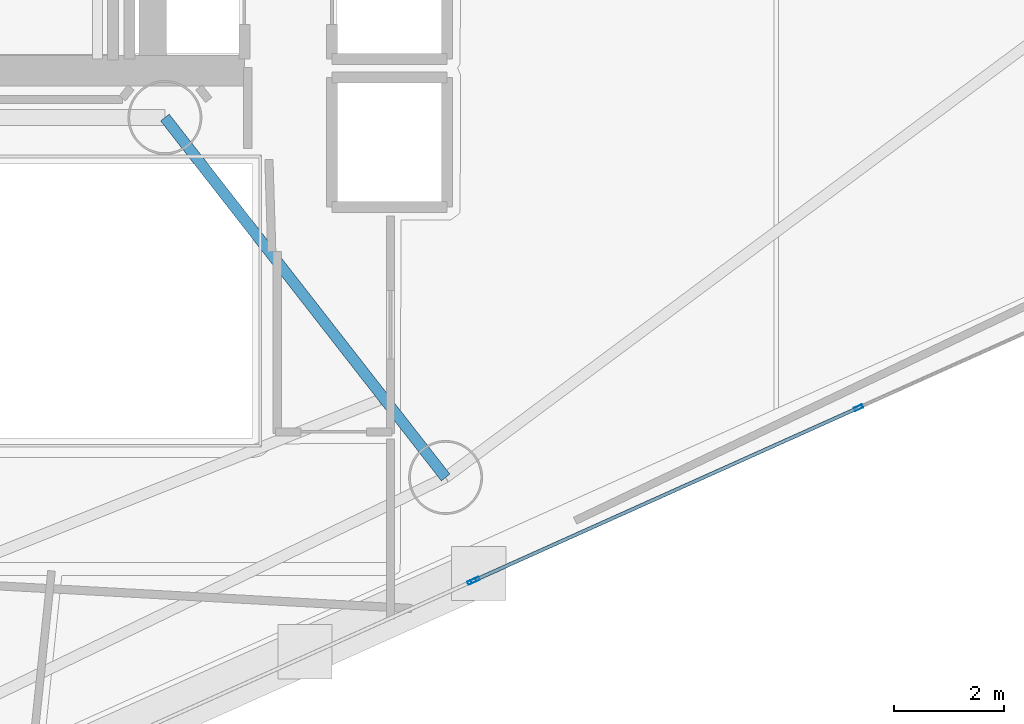
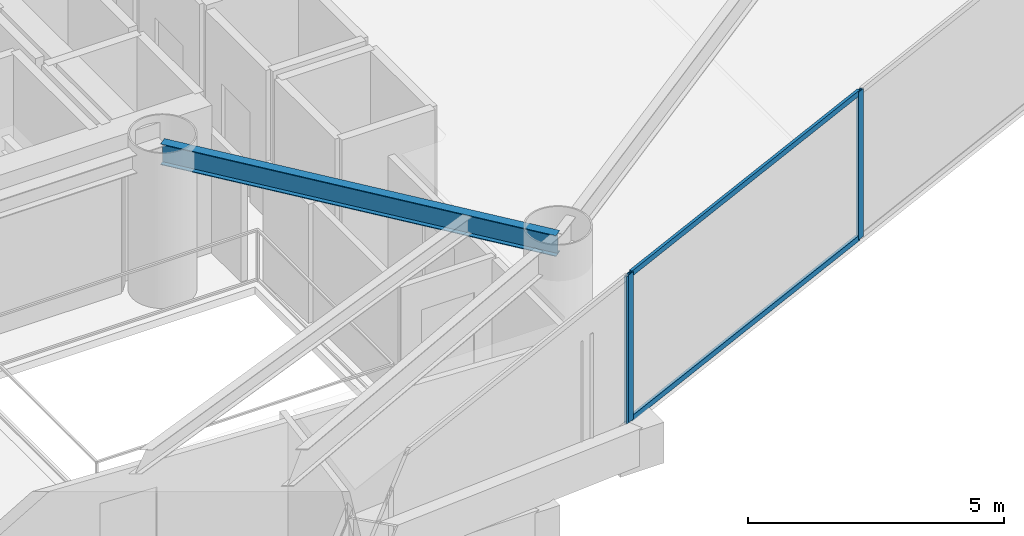
# One storey, part 7 of 23: 5 members, 1 beam, 2 elements without a shape of their own.
"""IFC4 building model written with IfcOpenShell, lengths in metres."""

from ifc_helpers import new_model, si_unit, direction, frame, origin, origin_2d, place, context, subcontext, project, spatial, hollow_rectangle, i_section, extrude, material, layer, layer_set, material_profile, profile_set, type_object, element, aggregate, save


model = new_model("IFC4")

# Units and contexts
model_context = context("Model", 3, precision=1e-05, world=origin(), true_north=direction((0.0, 1.0)))
body_context = subcontext(model_context, "Body", "Model", "MODEL_VIEW")
ifc_project = project(units=[si_unit("LENGTHUNIT", "METRE"), si_unit("AREAUNIT", "SQUARE_METRE"), si_unit("VOLUMEUNIT", "CUBIC_METRE"), si_unit("PLANEANGLEUNIT", "RADIAN"), si_unit("MASSUNIT", "GRAM", prefix="KILO")], contexts=[model_context])

# Site, building, storey
site_placement = place(None, origin())
site = spatial("IfcSite", under=ifc_project, at=site_placement, CompositionType="ELEMENT")
building_placement = place(site_placement, origin())
building = spatial("IfcBuilding", under=site, at=building_placement, Name="Qianvela Tower", CompositionType="ELEMENT")
storey_placement = place(building_placement, frame((0.0, 0.0, 147.60009765625)))
storey = spatial("IfcBuildingStorey", under=building, at=storey_placement, Name="L37", CompositionType="ELEMENT", Elevation=147.60009765625)

# Beam
ifc_material_1 = material(Name="Steel Q355B", Category="steel")
ifc_material_profile_1 = material_profile(ifc_material_1, i_section(OverallWidth=0.199951171875, OverallDepth=0.5, WebThickness=0.010009765625, FlangeThickness=0.01611328125, at=origin_2d()), Name="HN500x200x10x16")
ifc_profile_set_1 = profile_set([ifc_material_profile_1], Name="Steel Q355B")
beam_type = type_object("IfcBeamType", Name="BM-HN500-GIRD", PredefinedType="BEAM", material=ifc_profile_set_1)
beam_placement = place(storey_placement, frame((38.39990234375, 23.85009765625, 3.267822265625), z_axis=(0.615000832816, -0.788526458424, 0.0), x_axis=(0.788526458424, 0.615000832816, 0.0)))
element("IfcBeam", 1, at=beam_placement, inside=storey, type_object=beam_type, Name="L37 Radial Primary Floor Girder 6", PredefinedType="BEAM", context=body_context, shape_type="SweptSolid", body=[
    extrude(i_section(OverallWidth=0.199951171875, OverallDepth=0.5, WebThickness=0.010009765625, FlangeThickness=0.01611328125, at=origin_2d()), origin(), (0.0, 0.0, 1.0), 8.333251953125),
])

# Curtain wall, member
ifc_material_2 = material(Name="Anodised Architectural Aluminium and Insulated Spandrel Panel", Category="aluminium")
ifc_layer_1 = layer(ifc_material_2, 0.179931640625)
ifc_layer_set_1 = layer_set([ifc_layer_1], Name="Anodised Architectural Aluminium and Insulated Spandrel Panel")
curtain_wall_type_1 = type_object("IfcCurtainWallType", Name="CW-BRACEBAY", PredefinedType="USERDEFINED", material=ifc_layer_set_1)
curtain_wall_1_placement = place(storey_placement, origin())
curtain_wall_1 = element("IfcCurtainWall", 2, at=curtain_wall_1_placement, inside=storey, type_object=curtain_wall_type_1, Name="L37 CW-BRACEBAY Curtain Wall 06A", ObjectType="CURTAIN_WALL_SYSTEM", PredefinedType="USERDEFINED")
ifc_material_3 = material(Name="Anodised Architectural Aluminium 6063-T6", Category="aluminium")
ifc_material_profile_2 = material_profile(ifc_material_3, hollow_rectangle(XDim=0.06494140625, YDim=0.159912109375, WallThickness=0.0048828125, at=origin_2d()), Name="ALU-MULL-65x160")
ifc_profile_set_2 = profile_set([ifc_material_profile_2], Name="Anodised Architectural Aluminium 6063-T6")
member_type_1 = type_object("IfcMemberType", Name="CW-BRACEBAY-MULL", PredefinedType="MULLION", material=ifc_profile_set_2)
member_1_placement = place(storey_placement, frame((44.00341796875, 15.37939453125, 0.0), z_axis=(0.0, 0.0, 1.0), x_axis=(-0.409812805876, 0.912169646579, 0.0)))
member_1 = element("IfcMember", 3, at=member_1_placement, type_object=member_type_1, Name="CW-9 mullion 3", PredefinedType="MULLION", context=body_context, shape_type="SweptSolid", body=[
    extrude(hollow_rectangle(XDim=0.06494140625, YDim=0.159912109375, WallThickness=0.0048828125, at=origin_2d()), origin(), (0.0, 0.0, 1.0), 3.52001953125),
])
aggregate(curtain_wall_1, [member_1])

# Curtain wall, members
ifc_material_4 = material(Name="Anodised Architectural Aluminium and Low-E Glass", Category="aluminium")
ifc_layer_2 = layer(ifc_material_4, 0.169921875)
ifc_layer_set_2 = layer_set([ifc_layer_2], Name="Anodised Architectural Aluminium and Low-E Glass")
curtain_wall_type_2 = type_object("IfcCurtainWallType", Name="CW-COLIV-Z34", PredefinedType="USERDEFINED", material=ifc_layer_set_2)
curtain_wall_2_placement = place(storey_placement, origin())
curtain_wall_2 = element("IfcCurtainWall", 4, at=curtain_wall_2_placement, inside=storey, type_object=curtain_wall_type_2, Name="L37 CW-COLIV-Z34 Curtain Wall 06B", ObjectType="CURTAIN_WALL_SYSTEM", PredefinedType="USERDEFINED")
ifc_material_5 = material(Name="Anodised Architectural Aluminium 6063-T6", Category="aluminium")
ifc_material_profile_3 = material_profile(ifc_material_5, hollow_rectangle(XDim=0.06494140625, YDim=0.159912109375, WallThickness=0.0048828125, at=origin_2d()), Name="ALU-MULL-65x160")
ifc_profile_set_3 = profile_set([ifc_material_profile_3], Name="Anodised Architectural Aluminium 6063-T6")
member_type_2 = type_object("IfcMemberType", Name="CW-COLIV-Z34-MULL", PredefinedType="MULLION", material=ifc_profile_set_3)
member_2_placement = place(storey_placement, frame((44.062744140625, 15.406005859375, 0.0), z_axis=(0.0, 0.0, 1.0), x_axis=(-0.409810777016, 0.912170558088, 0.0)))
member_2 = element("IfcMember", 5, at=member_2_placement, type_object=member_type_2, Name="CW-4 mullion 1", PredefinedType="MULLION", context=body_context, shape_type="SweptSolid", body=[
    extrude(hollow_rectangle(XDim=0.06494140625, YDim=0.159912109375, WallThickness=0.0048828125, at=origin_2d()), origin(), (0.0, 0.0, 1.0), 3.52001953125),
])
member_3_placement = place(storey_placement, frame((51.06640625, 18.552490234375, 0.0), z_axis=(0.0, 0.0, 1.0), x_axis=(-0.409810777016, 0.912170558088, 0.0)))
member_3 = element("IfcMember", 6, at=member_3_placement, type_object=member_type_2, Name="CW-4 mullion 2", PredefinedType="MULLION", context=body_context, shape_type="SweptSolid", body=[
    extrude(hollow_rectangle(XDim=0.06494140625, YDim=0.159912109375, WallThickness=0.0048828125, at=origin_2d()), origin(), (0.0, 0.0, 1.0), 3.52001953125),
])
ifc_material_6 = material(Name="Anodised Architectural Aluminium 6063-T6", Category="aluminium")
ifc_material_profile_4 = material_profile(ifc_material_6, hollow_rectangle(XDim=0.06494140625, YDim=0.1298828125, WallThickness=0.00439453125, at=origin_2d()), Name="ALU-TRAN-65x130")
ifc_profile_set_4 = profile_set([ifc_material_profile_4], Name="Anodised Architectural Aluminium 6063-T6")
member_type_3 = type_object("IfcMemberType", Name="CW-COLIV-Z34-TRAN", PredefinedType="USERDEFINED", material=ifc_profile_set_4)
member_4_placement = place(storey_placement, frame((44.09228515625, 15.41943359375, 0.032470703125), z_axis=(0.912176340281, 0.409797906572, 0.0), x_axis=(-0.409797906572, 0.912176340281, 0.0)))
member_4 = element("IfcMember", 7, at=member_4_placement, type_object=member_type_3, Name="CW-4 transom 1.1", ObjectType="TRANSOM", PredefinedType="USERDEFINED", context=body_context, shape_type="SweptSolid", body=[
    extrude(hollow_rectangle(XDim=0.06494140625, YDim=0.1298828125, WallThickness=0.00439453125, at=origin_2d()), origin(), (0.0, 0.0, 1.0), 7.61328125),
])
member_5_placement = place(storey_placement, frame((44.09228515625, 15.41943359375, 3.4873046875), z_axis=(0.912176340281, 0.409797906572, 0.0), x_axis=(-0.409797906572, 0.912176340281, 0.0)))
member_5 = element("IfcMember", 8, at=member_5_placement, type_object=member_type_3, Name="CW-4 transom 1.2", ObjectType="TRANSOM", PredefinedType="USERDEFINED", context=body_context, shape_type="SweptSolid", body=[
    extrude(hollow_rectangle(XDim=0.06494140625, YDim=0.1298828125, WallThickness=0.00439453125, at=origin_2d()), origin(), (0.0, 0.0, 1.0), 7.61328125),
])
aggregate(curtain_wall_2, [member_2, member_3, member_4, member_5])

save(model, "model.ifc")
